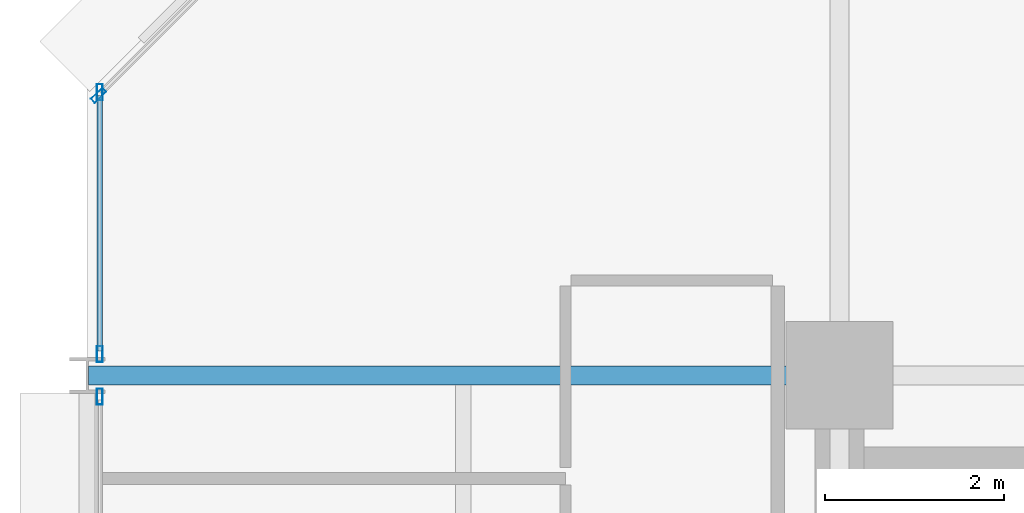
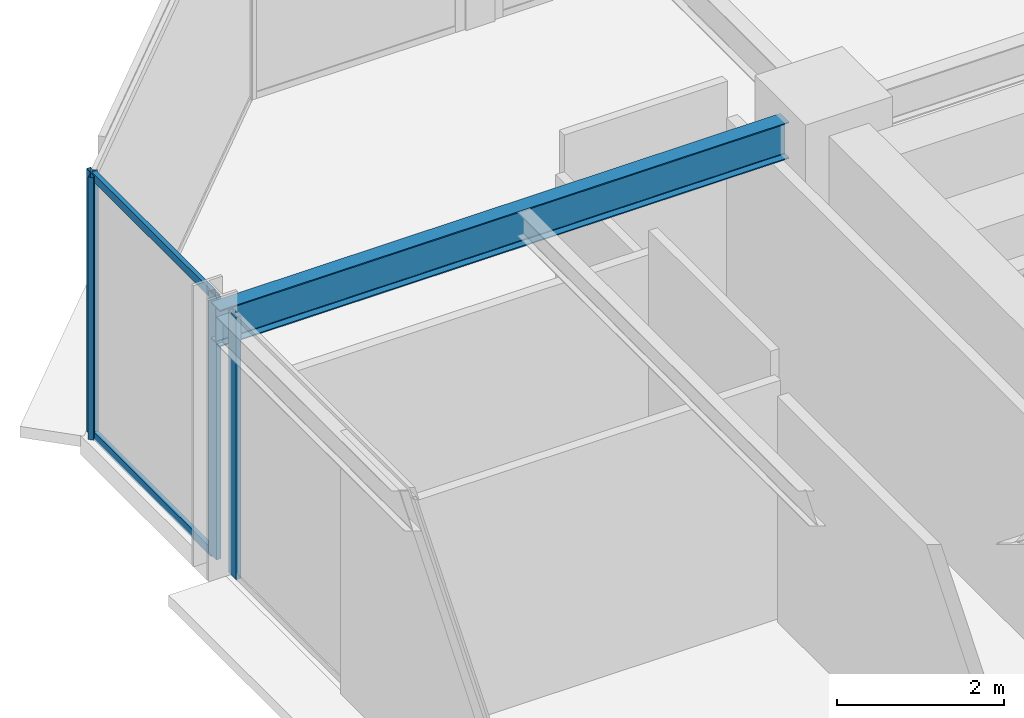
# One storey, part 18 of 30: 6 members, 1 beam, 3 elements without a shape of their own.
"""IFC4 building model written with IfcOpenShell, lengths in metres."""

from ifc_helpers import new_model, si_unit, direction, frame, origin, origin_2d, place, context, subcontext, project, spatial, hollow_rectangle, i_section, extrude, material, layer, layer_set, material_profile, profile_set, type_object, element, aggregate, save


model = new_model("IFC4")

# Units and contexts
model_context = context("Model", 3, precision=1e-05, world=origin(), true_north=direction((0.0, 1.0)))
body_context = subcontext(model_context, "Body", "Model", "MODEL_VIEW")
ifc_project = project(units=[si_unit("LENGTHUNIT", "METRE"), si_unit("AREAUNIT", "SQUARE_METRE"), si_unit("VOLUMEUNIT", "CUBIC_METRE"), si_unit("PLANEANGLEUNIT", "RADIAN"), si_unit("MASSUNIT", "GRAM", prefix="KILO")], contexts=[model_context])

# Site, building, storey
site_placement = place(None, origin())
site = spatial("IfcSite", under=ifc_project, at=site_placement, CompositionType="ELEMENT")
building_placement = place(site_placement, origin())
building = spatial("IfcBuilding", under=site, at=building_placement, Name="Nerrivon Quay Data Exchange", CompositionType="ELEMENT")
storey_placement = place(building_placement, frame((0.0, 0.0, 154.10009765625)))
storey = spatial("IfcBuildingStorey", under=building, at=storey_placement, Name="L36", CompositionType="ELEMENT", Elevation=154.10009765625)

# Beam
ifc_material_1 = material(Name="Steel Grade 350", Category="steel")
ifc_material_profile_1 = material_profile(ifc_material_1, i_section(OverallWidth=0.208984375, OverallDepth=0.532958984375, WebThickness=0.01025390625, FlangeThickness=0.015625, FilletRadius=0.013916015625, at=origin_2d()), Name="530UB92.4")
ifc_profile_set_1 = profile_set([ifc_material_profile_1], Name="Steel Grade 350")
beam_type = type_object("IfcBeamType", Name="BM-G3-530UB92", PredefinedType="BEAM", material=ifc_profile_set_1)
beam_placement = place(storey_placement, frame((0.012451171875, 42.0, 3.558349609375), z_axis=(1.0, 0.0, 0.0), x_axis=(0.0, 1.0, 0.0)))
element("IfcBeam", 1, at=beam_placement, inside=storey, type_object=beam_type, Name="L36 EW Girder Y=42.0 (0.0..8.4)", PredefinedType="BEAM", context=body_context, shape_type="SweptSolid", body=[
    extrude(i_section(OverallWidth=0.208984375, OverallDepth=0.532958984375, WebThickness=0.01025390625, FlangeThickness=0.015625, FilletRadius=0.013916015625, at=origin_2d()), origin(), (0.0, 0.0, 1.0), 7.84765625),
])

# Curtain wall, member
ifc_material_2 = material(Name="Anodised aluminium 6063-T6", Category="aluminium")
ifc_layer = layer(ifc_material_2, 0.2099609375)
ifc_layer_set = layer_set([ifc_layer], Name="Anodised aluminium 6063-T6")
curtain_wall_type = type_object("IfcCurtainWallType", Name="CW-SYS-02", PredefinedType="NOTDEFINED", material=ifc_layer_set)
curtain_wall_1_placement = place(storey_placement, origin())
curtain_wall_1 = element("IfcCurtainWall", 2, at=curtain_wall_1_placement, inside=storey, type_object=curtain_wall_type, Name="L36 Unitised Curtain Wall 15", PredefinedType="NOTDEFINED")
ifc_material_profile_2 = material_profile(ifc_material_2, hollow_rectangle(XDim=0.06494140625, YDim=0.179931640625, WallThickness=0.00341796875, at=origin_2d()), Name="ALU-MULL-180x65")
ifc_profile_set_2 = profile_set([ifc_material_profile_2], Name="Anodised aluminium 6063-T6")
member_type_1 = type_object("IfcMemberType", Name="CWM-180x65", PredefinedType="MULLION", material=ifc_profile_set_2)
member_1_placement = place(storey_placement, frame((0.139892578125, 41.762451171875, 0.0), z_axis=(0.0, 0.0, 1.0), x_axis=(-1.0, 0.0, 0.0)))
member_1 = element("IfcMember", 3, at=member_1_placement, type_object=member_type_1, Name="CW02 mullion 2", PredefinedType="MULLION", context=body_context, shape_type="SweptSolid", body=[
    extrude(hollow_rectangle(XDim=0.06494140625, YDim=0.179931640625, WallThickness=0.00341796875, at=origin_2d()), origin(), (0.0, 0.0, 1.0), 3.824951171875),
])
aggregate(curtain_wall_1, [member_1])

# Curtain wall, members
curtain_wall_2_placement = place(storey_placement, origin())
curtain_wall_2 = element("IfcCurtainWall", 4, at=curtain_wall_2_placement, inside=storey, type_object=curtain_wall_type, Name="L36 Unitised Curtain Wall 16", PredefinedType="NOTDEFINED")
member_2_placement = place(storey_placement, frame((0.139892578125, 42.237548828125, 0.0), z_axis=(0.0, 0.0, 1.0), x_axis=(-1.0, 0.0, 0.0)))
member_2 = element("IfcMember", 5, at=member_2_placement, type_object=member_type_1, Name="CW02 mullion 1", PredefinedType="MULLION", context=body_context, shape_type="SweptSolid", body=[
    extrude(hollow_rectangle(XDim=0.06494140625, YDim=0.179931640625, WallThickness=0.00341796875, at=origin_2d()), origin(), (0.0, 0.0, 1.0), 3.824951171875),
])
member_3_placement = place(storey_placement, frame((0.139892578125, 45.16259765625, 0.0), z_axis=(0.0, 0.0, 1.0), x_axis=(-1.0, 0.0, 0.0)))
member_3 = element("IfcMember", 6, at=member_3_placement, type_object=member_type_1, Name="CW02 mullion 2", PredefinedType="MULLION", context=body_context, shape_type="SweptSolid", body=[
    extrude(hollow_rectangle(XDim=0.06494140625, YDim=0.179931640625, WallThickness=0.00341796875, at=origin_2d()), origin(), (0.0, 0.0, 1.0), 3.824951171875),
])

# Curtain wall, member
curtain_wall_3_placement = place(storey_placement, origin())
curtain_wall_3 = element("IfcCurtainWall", 7, at=curtain_wall_3_placement, inside=storey, type_object=curtain_wall_type, Name="L36 Unitised Curtain Wall 17", PredefinedType="NOTDEFINED")
member_4_placement = place(storey_placement, frame((0.12548828125, 45.12744140625, 0.0), z_axis=(0.0, 0.0, 1.0), x_axis=(-0.707106781187, 0.707106781187, 0.0)))
member_4 = element("IfcMember", 8, at=member_4_placement, type_object=member_type_1, Name="CW02 mullion 1", PredefinedType="MULLION", context=body_context, shape_type="SweptSolid", body=[
    extrude(hollow_rectangle(XDim=0.06494140625, YDim=0.179931640625, WallThickness=0.00341796875, at=origin_2d()), origin(), (0.0, 0.0, 1.0), 3.824951171875),
])
aggregate(curtain_wall_3, [member_4])

# Member
ifc_material_profile_3 = material_profile(ifc_material_2, hollow_rectangle(XDim=0.06005859375, YDim=0.1201171875, WallThickness=0.003173828125, at=origin_2d()), Name="ALU-TRAN-120x60")
ifc_profile_set_3 = profile_set([ifc_material_profile_3], Name="Anodised aluminium 6063-T6")
member_type_2 = type_object("IfcMemberType", Name="CWT-120x60", PredefinedType="USERDEFINED", material=ifc_profile_set_3)
member_5_placement = place(storey_placement, frame((0.139892578125, 42.27490234375, 0.032470703125), z_axis=(0.0, 1.0, 0.0), x_axis=(-1.0, 0.0, 0.0)))
member_5 = element("IfcMember", 9, at=member_5_placement, type_object=member_type_2, Name="CW02 transom 1.1", ObjectType="TRANSOM", PredefinedType="USERDEFINED", context=body_context, shape_type="SweptSolid", body=[
    extrude(hollow_rectangle(XDim=0.06005859375, YDim=0.1201171875, WallThickness=0.003173828125, at=origin_2d()), origin(), (0.0, 0.0, 1.0), 2.85009765625),
])

member_6_placement = place(storey_placement, frame((0.139892578125, 42.27490234375, 3.79248046875), z_axis=(0.0, 1.0, 0.0), x_axis=(-1.0, 0.0, 0.0)))
member_6 = element("IfcMember", 10, at=member_6_placement, type_object=member_type_2, Name="CW02 transom 1.2", ObjectType="TRANSOM", PredefinedType="USERDEFINED", context=body_context, shape_type="SweptSolid", body=[
    extrude(hollow_rectangle(XDim=0.06005859375, YDim=0.1201171875, WallThickness=0.003173828125, at=origin_2d()), origin(), (0.0, 0.0, 1.0), 2.85009765625),
])

aggregate(curtain_wall_2, [member_2, member_3, member_5, member_6])

save(model, "model.ifc")
